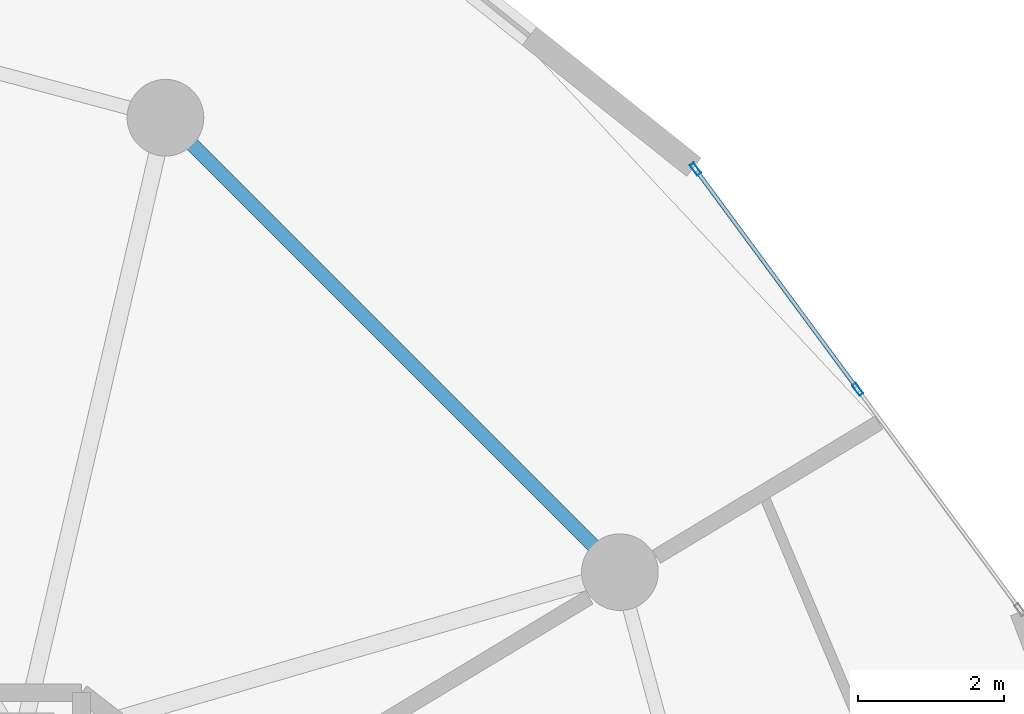
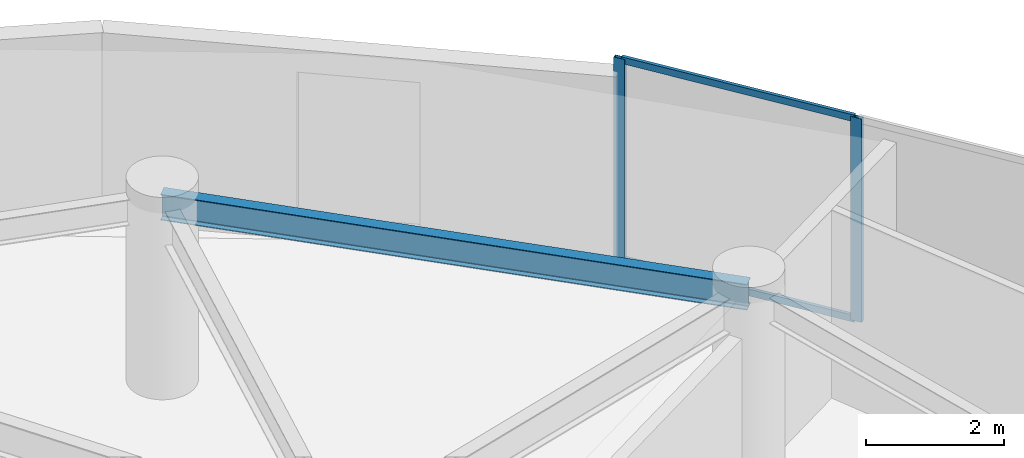
# One storey, part 16 of 22: 4 members, 1 beam, 1 element without a shape of its own.
"""IFC4 building model written with IfcOpenShell, lengths in metres."""

from ifc_helpers import new_model, si_unit, direction, frame, origin, origin_2d, place, context, subcontext, project, spatial, hollow_rectangle, i_section, extrude, source, transform, mapped, material, layer, layer_set, material_profile, profile_set, type_object, element, aggregate, save


model = new_model("IFC4")

# Units and contexts
model_context = context("Model", 3, precision=1e-05, world=origin(), true_north=direction((0.0, 1.0)))
body_context = subcontext(model_context, "Body", "Model", "MODEL_VIEW")
ifc_project = project(units=[si_unit("LENGTHUNIT", "METRE"), si_unit("AREAUNIT", "SQUARE_METRE"), si_unit("VOLUMEUNIT", "CUBIC_METRE"), si_unit("PLANEANGLEUNIT", "RADIAN"), si_unit("MASSUNIT", "GRAM", prefix="KILO")], contexts=[model_context])

# Site, building, storey
site_placement = place(None, origin())
site = spatial("IfcSite", under=ifc_project, at=site_placement, CompositionType="ELEMENT")
building_placement = place(site_placement, origin())
building = spatial("IfcBuilding", under=site, at=building_placement, Name="Solvirekh Grand Hotel", CompositionType="ELEMENT")
storey_placement = place(building_placement, frame((0.0, 0.0, 149.39990234375)))
storey = spatial("IfcBuildingStorey", under=building, at=storey_placement, Name="L38", CompositionType="ELEMENT", Elevation=149.39990234375)

# Beam
ifc_material_1 = material(Name="Steel S355", Category="steel")
ifc_material_profile_1 = material_profile(ifc_material_1, i_section(OverallWidth=0.18994140625, OverallDepth=0.45703125, WebThickness=0.009033203125, FlangeThickness=0.013916015625, FilletRadius=0.012939453125, at=origin_2d()), Name="W460X74")
ifc_profile_set_1 = profile_set([ifc_material_profile_1], Name="Steel S355")
beam_type = type_object("IfcBeamType", Name="Spandrel_Ring_W460", PredefinedType="SPANDREL", material=ifc_profile_set_1)
beam_placement = place(storey_placement, frame((14.721923828125, 8.5, 3.1220703125), z_axis=(-0.707106781187, 0.707106781187, 0.0), x_axis=(-0.707106781187, -0.707106781187, 0.0)))
element("IfcBeam", 1, at=beam_placement, inside=storey, type_object=beam_type, Name="L38 perimeter spandrel beam 2", PredefinedType="SPANDREL", context=body_context, shape_type="SweptSolid", body=[
    extrude(i_section(OverallWidth=0.18994140625, OverallDepth=0.45703125, WebThickness=0.009033203125, FlangeThickness=0.013916015625, FilletRadius=0.012939453125, at=origin_2d()), origin(), (0.0, 0.0, 1.0), 8.799072265625),
])

# Curtain wall, members
ifc_material_2 = material(Name="Anodized Bronze Aluminium 6063-T6", Category="aluminium")
ifc_layer = layer(ifc_material_2, 0.175048828125)
ifc_layer_set = layer_set([ifc_layer], Name="Anodized Bronze Aluminium 6063-T6")
curtain_wall_type = type_object("IfcCurtainWallType", Name="CW_Sys3_MidZoneFlushBronzeCW", PredefinedType="NOTDEFINED", material=ifc_layer_set)
curtain_wall_placement = place(storey_placement, origin())
curtain_wall = element("IfcCurtainWall", 2, at=curtain_wall_placement, inside=storey, type_object=curtain_wall_type, Name="L38 unitised bronze-glass curtain wall CW-L38-C05", PredefinedType="NOTDEFINED")
ifc_material_profile_2 = material_profile(ifc_material_2, hollow_rectangle(XDim=0.054931640625, YDim=0.1201171875, WallThickness=0.00390625, at=origin_2d()), Name="ALU RHS 120X55X4")
ifc_profile_set_2 = profile_set([ifc_material_profile_2], Name="Anodized Bronze Aluminium 6063-T6")
member_type_1 = type_object("IfcMemberType", Name="CWTransom_Sys3", PredefinedType="USERDEFINED", material=ifc_profile_set_2)
shared_shape_1 = source(origin(), body_context, "Body", "SweptSolid", [
    extrude(hollow_rectangle(XDim=0.054931640625, YDim=0.1201171875, WallThickness=0.00390625, at=origin_2d()), origin(), (0.0, 0.0, 1.0), 3.681640625),
])
member_1_placement = place(storey_placement, frame((17.958740234375, 11.02978515625, 0.027587890625), z_axis=(-0.59323070563, 0.805032502386, 0.0), x_axis=(-0.805032502386, -0.59323070563, 0.0)))
member_1 = element("IfcMember", 3, at=member_1_placement, type_object=member_type_1, Name="U03 transom 2.1", ObjectType="TRANSOM", PredefinedType="USERDEFINED", context=body_context, shape_type="MappedRepresentation", body=[
    mapped(shared_shape_1, transform((0.0, 0.0, 0.0), x_axis=(1.0, 0.0, 0.0), y_axis=(0.0, 1.0, 0.0), z_axis=(0.0, 0.0, 1.0), scale=1.0)),
])
member_2_placement = place(storey_placement, frame((17.958740234375, 11.02978515625, 3.572509765625), z_axis=(-0.59323070563, 0.805032502386, 0.0), x_axis=(-0.805032502386, -0.59323070563, 0.0)))
member_2 = element("IfcMember", 4, at=member_2_placement, type_object=member_type_1, Name="U03 transom 2.2", ObjectType="TRANSOM", PredefinedType="USERDEFINED", context=body_context, shape_type="MappedRepresentation", body=[
    mapped(shared_shape_1, transform((0.0, 0.0, 0.0), x_axis=(1.0, 0.0, 0.0), y_axis=(0.0, 1.0, 0.0), z_axis=(0.0, 0.0, 1.0), scale=1.0)),
])
ifc_material_profile_3 = material_profile(ifc_material_2, hollow_rectangle(XDim=0.06494140625, YDim=0.175048828125, WallThickness=0.0048828125, at=origin_2d()), Name="ALU RHS 175X65X5")
ifc_profile_set_3 = profile_set([ifc_material_profile_3], Name="Anodized Bronze Aluminium 6063-T6")
member_type_2 = type_object("IfcMemberType", Name="CWMullion_Sys3", PredefinedType="MULLION", material=ifc_profile_set_3)
shared_shape_2 = source(origin(), body_context, "Body", "SweptSolid", [
    extrude(hollow_rectangle(XDim=0.06494140625, YDim=0.175048828125, WallThickness=0.0048828125, at=origin_2d()), origin(), (0.0, 0.0, 1.0), 3.60009765625),
])
member_3_placement = place(storey_placement, frame((17.97802734375, 11.00341796875, 0.0), z_axis=(0.0, 0.0, 1.0), x_axis=(-0.805035885253, -0.593226114947, 0.0)))
member_3 = element("IfcMember", 5, at=member_3_placement, type_object=member_type_2, Name="U03 mullion 2", PredefinedType="MULLION", context=body_context, shape_type="MappedRepresentation", body=[
    mapped(shared_shape_2, transform((0.0, 0.0, 0.0), x_axis=(1.0, 0.0, 0.0), y_axis=(0.0, 1.0, 0.0), z_axis=(0.0, 0.0, 1.0), scale=1.0)),
])
member_4_placement = place(storey_placement, frame((15.75537109375, 14.019775390625, 0.0), z_axis=(0.0, 0.0, 1.0), x_axis=(-0.805035885253, -0.593226114947, 0.0)))
member_4 = element("IfcMember", 6, at=member_4_placement, type_object=member_type_2, Name="U03 mullion 3", PredefinedType="MULLION", context=body_context, shape_type="MappedRepresentation", body=[
    mapped(shared_shape_2, transform((0.0, 0.0, 0.0), x_axis=(1.0, 0.0, 0.0), y_axis=(0.0, 1.0, 0.0), z_axis=(0.0, 0.0, 1.0), scale=1.0)),
])
aggregate(curtain_wall, [member_3, member_4, member_1, member_2])

save(model, "model.ifc")
